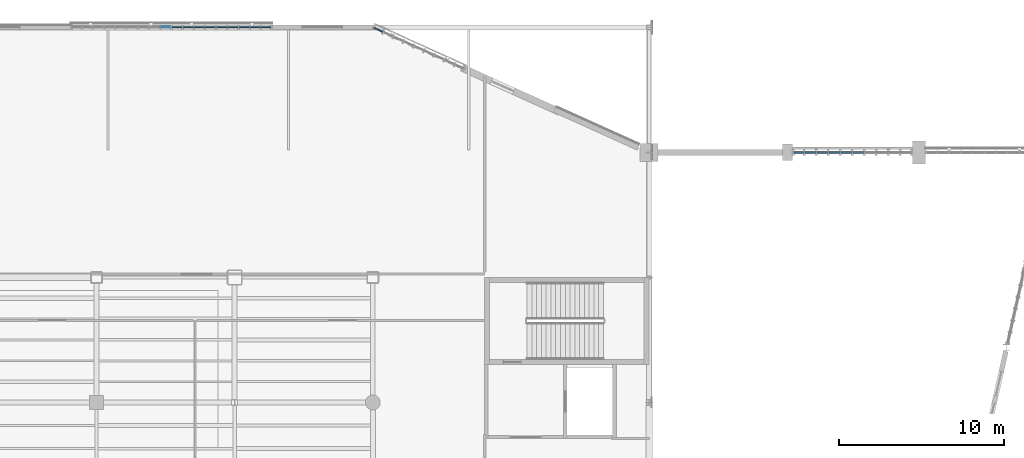
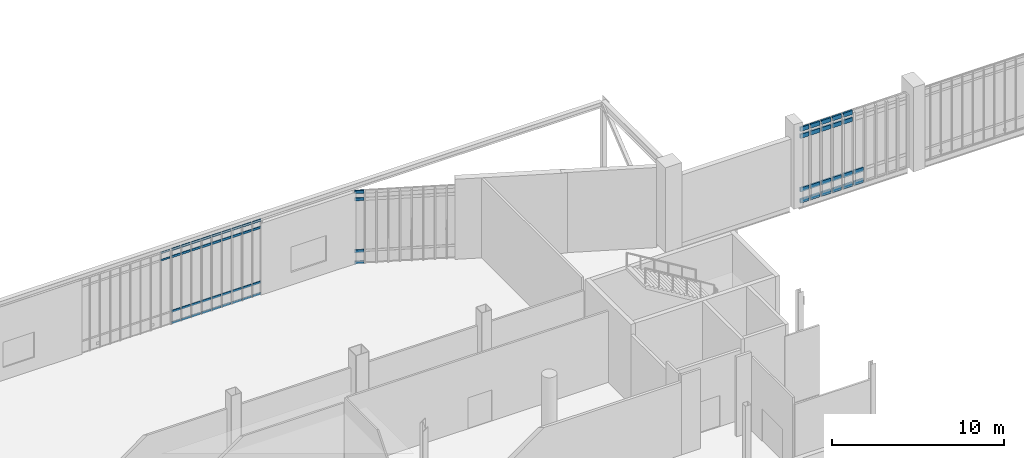
# One storey, part 56 of 135: 64 members, 4 elements without a shape of their own.
"""IFC4 building model written with IfcOpenShell, lengths in metres."""

from ifc_helpers import new_model, si_unit, direction, frame, origin, origin_2d, place, context, subcontext, project, spatial, rectangle, extrude, material, material_profile, profile_set, type_object, element, aggregate, save


model = new_model("IFC4")

# Units and contexts
model_context = context("Model", 3, precision=1e-05, world=origin(), true_north=direction((0.0, 1.0)))
body_context = subcontext(model_context, "Body", "Model", "MODEL_VIEW")
ifc_project = project(units=[si_unit("LENGTHUNIT", "METRE"), si_unit("AREAUNIT", "SQUARE_METRE"), si_unit("VOLUMEUNIT", "CUBIC_METRE"), si_unit("PLANEANGLEUNIT", "RADIAN"), si_unit("MASSUNIT", "GRAM", prefix="KILO")], contexts=[model_context])

# Site, building, storey
site_placement = place(None, origin())
site = spatial("IfcSite", under=ifc_project, at=site_placement, CompositionType="ELEMENT")
building_placement = place(site_placement, origin())
building = spatial("IfcBuilding", under=site, at=building_placement, Name="Larkvane Passage Sports Hall", CompositionType="ELEMENT")
storey_placement = place(building_placement, frame((0.0, 0.0, 10.800048828125)))
storey = spatial("IfcBuildingStorey", under=building, at=storey_placement, Name="L02", CompositionType="ELEMENT", Elevation=10.800048828125)

# Curtain wall, members
ifc_material_1 = material(Name="Thermally broken aluminium and low-E glazing", Category="aluminium")
curtain_wall_type_1 = type_object("IfcCurtainWallType", Name="CW-CLINIC", PredefinedType="USERDEFINED", material=ifc_material_1)
curtain_wall_1_placement = place(storey_placement, origin())
curtain_wall_1 = element("IfcCurtainWall", 1, at=curtain_wall_1_placement, inside=storey, type_object=curtain_wall_type_1, Name="Curtain wall CW5-L02-079", ObjectType="UNITISED CURTAIN WALL", PredefinedType="USERDEFINED")
ifc_material_2 = material(Name="Anodised aluminium 6063-T6", Category="aluminium")
ifc_material_profile_1 = material_profile(ifc_material_2, rectangle(XDim=0.110107421875, YDim=0.2900390625, at=origin_2d()), Name="ALU-TRN-110x290")
ifc_profile_set_1 = profile_set([ifc_material_profile_1], Name="Anodised aluminium 6063-T6")
member_type_1 = type_object("IfcMemberType", Name="CW-TRN-110x290", PredefinedType="USERDEFINED", material=ifc_profile_set_1)
member_1_placement = place(storey_placement, frame((102.406005859375, 99.199951171875, 0.054931640625), z_axis=(1.0, 0.0, 0.0), x_axis=(0.0, 1.0, 0.0)))
member_1 = element("IfcMember", 2, at=member_1_placement, type_object=member_type_1, Name="CW-05 transom 1.1", ObjectType="TRANSOM", PredefinedType="USERDEFINED", context=body_context, shape_type="SweptSolid", body=[
    extrude(rectangle(XDim=0.110107421875, YDim=0.2900390625, at=origin_2d()), origin(), (0.0, 0.0, 1.0), 0.565673828125),
])
member_2_placement = place(storey_placement, frame((102.406005859375, 99.199951171875, 0.849853515625), z_axis=(1.0, 0.0, 0.0), x_axis=(0.0, 1.0, 0.0)))
member_2 = element("IfcMember", 3, at=member_2_placement, type_object=member_type_1, Name="CW-05 transom 1.2", ObjectType="TRANSOM", PredefinedType="USERDEFINED", context=body_context, shape_type="SweptSolid", body=[
    extrude(rectangle(XDim=0.110107421875, YDim=0.2900390625, at=origin_2d()), origin(), (0.0, 0.0, 1.0), 0.565673828125),
])
member_3_placement = place(storey_placement, frame((102.406005859375, 99.199951171875, 4.64794921875), z_axis=(1.0, 0.0, 0.0), x_axis=(0.0, 1.0, 0.0)))
member_3 = element("IfcMember", 4, at=member_3_placement, type_object=member_type_1, Name="CW-05 transom 1.3", ObjectType="TRANSOM", PredefinedType="USERDEFINED", context=body_context, shape_type="SweptSolid", body=[
    extrude(rectangle(XDim=0.110107421875, YDim=0.2900390625, at=origin_2d()), origin(), (0.0, 0.0, 1.0), 0.565673828125),
])
member_4_placement = place(storey_placement, frame((102.406005859375, 99.199951171875, 5.14306640625), z_axis=(1.0, 0.0, 0.0), x_axis=(0.0, 1.0, 0.0)))
member_4 = element("IfcMember", 5, at=member_4_placement, type_object=member_type_1, Name="CW-05 transom 1.4", ObjectType="TRANSOM", PredefinedType="USERDEFINED", context=body_context, shape_type="SweptSolid", body=[
    extrude(rectangle(XDim=0.110107421875, YDim=0.2900390625, at=origin_2d()), origin(), (0.0, 0.0, 1.0), 0.565673828125),
])
member_5_placement = place(storey_placement, frame((103.081787109375, 99.199951171875, 0.054931640625), z_axis=(1.0, 0.0, 0.0), x_axis=(0.0, 1.0, 0.0)))
member_5 = element("IfcMember", 6, at=member_5_placement, type_object=member_type_1, Name="CW-05 transom 2.1", ObjectType="TRANSOM", PredefinedType="USERDEFINED", context=body_context, shape_type="SweptSolid", body=[
    extrude(rectangle(XDim=0.110107421875, YDim=0.2900390625, at=origin_2d()), origin(), (0.0, 0.0, 1.0), 0.620849609375),
])
member_6_placement = place(storey_placement, frame((103.081787109375, 99.199951171875, 0.849853515625), z_axis=(1.0, 0.0, 0.0), x_axis=(0.0, 1.0, 0.0)))
member_6 = element("IfcMember", 7, at=member_6_placement, type_object=member_type_1, Name="CW-05 transom 2.2", ObjectType="TRANSOM", PredefinedType="USERDEFINED", context=body_context, shape_type="SweptSolid", body=[
    extrude(rectangle(XDim=0.110107421875, YDim=0.2900390625, at=origin_2d()), origin(), (0.0, 0.0, 1.0), 0.620849609375),
])
member_7_placement = place(storey_placement, frame((103.081787109375, 99.199951171875, 4.64794921875), z_axis=(1.0, 0.0, 0.0), x_axis=(0.0, 1.0, 0.0)))
member_7 = element("IfcMember", 8, at=member_7_placement, type_object=member_type_1, Name="CW-05 transom 2.3", ObjectType="TRANSOM", PredefinedType="USERDEFINED", context=body_context, shape_type="SweptSolid", body=[
    extrude(rectangle(XDim=0.110107421875, YDim=0.2900390625, at=origin_2d()), origin(), (0.0, 0.0, 1.0), 0.620849609375),
])
member_8_placement = place(storey_placement, frame((103.081787109375, 99.199951171875, 5.14306640625), z_axis=(1.0, 0.0, 0.0), x_axis=(0.0, 1.0, 0.0)))
member_8 = element("IfcMember", 9, at=member_8_placement, type_object=member_type_1, Name="CW-05 transom 2.4", ObjectType="TRANSOM", PredefinedType="USERDEFINED", context=body_context, shape_type="SweptSolid", body=[
    extrude(rectangle(XDim=0.110107421875, YDim=0.2900390625, at=origin_2d()), origin(), (0.0, 0.0, 1.0), 0.620849609375),
])
member_9_placement = place(storey_placement, frame((103.8125, 99.199951171875, 0.054931640625), z_axis=(1.0, 0.0, 0.0), x_axis=(0.0, 1.0, 0.0)))
member_9 = element("IfcMember", 10, at=member_9_placement, type_object=member_type_1, Name="CW-05 transom 3.1", ObjectType="TRANSOM", PredefinedType="USERDEFINED", context=body_context, shape_type="SweptSolid", body=[
    extrude(rectangle(XDim=0.110107421875, YDim=0.2900390625, at=origin_2d()), origin(), (0.0, 0.0, 1.0), 0.620849609375),
])
member_10_placement = place(storey_placement, frame((103.8125, 99.199951171875, 0.849853515625), z_axis=(1.0, 0.0, 0.0), x_axis=(0.0, 1.0, 0.0)))
member_10 = element("IfcMember", 11, at=member_10_placement, type_object=member_type_1, Name="CW-05 transom 3.2", ObjectType="TRANSOM", PredefinedType="USERDEFINED", context=body_context, shape_type="SweptSolid", body=[
    extrude(rectangle(XDim=0.110107421875, YDim=0.2900390625, at=origin_2d()), origin(), (0.0, 0.0, 1.0), 0.620849609375),
])
member_11_placement = place(storey_placement, frame((103.8125, 99.199951171875, 4.64794921875), z_axis=(1.0, 0.0, 0.0), x_axis=(0.0, 1.0, 0.0)))
member_11 = element("IfcMember", 12, at=member_11_placement, type_object=member_type_1, Name="CW-05 transom 3.3", ObjectType="TRANSOM", PredefinedType="USERDEFINED", context=body_context, shape_type="SweptSolid", body=[
    extrude(rectangle(XDim=0.110107421875, YDim=0.2900390625, at=origin_2d()), origin(), (0.0, 0.0, 1.0), 0.620849609375),
])
member_12_placement = place(storey_placement, frame((103.8125, 99.199951171875, 5.14306640625), z_axis=(1.0, 0.0, 0.0), x_axis=(0.0, 1.0, 0.0)))
member_12 = element("IfcMember", 13, at=member_12_placement, type_object=member_type_1, Name="CW-05 transom 3.4", ObjectType="TRANSOM", PredefinedType="USERDEFINED", context=body_context, shape_type="SweptSolid", body=[
    extrude(rectangle(XDim=0.110107421875, YDim=0.2900390625, at=origin_2d()), origin(), (0.0, 0.0, 1.0), 0.620849609375),
])
member_13_placement = place(storey_placement, frame((104.54345703125, 99.199951171875, 0.054931640625), z_axis=(1.0, 0.0, 0.0), x_axis=(0.0, 1.0, 0.0)))
member_13 = element("IfcMember", 14, at=member_13_placement, type_object=member_type_1, Name="CW-05 transom 4.1", ObjectType="TRANSOM", PredefinedType="USERDEFINED", context=body_context, shape_type="SweptSolid", body=[
    extrude(rectangle(XDim=0.110107421875, YDim=0.2900390625, at=origin_2d()), origin(), (0.0, 0.0, 1.0), 0.620849609375),
])
member_14_placement = place(storey_placement, frame((104.54345703125, 99.199951171875, 0.849853515625), z_axis=(1.0, 0.0, 0.0), x_axis=(0.0, 1.0, 0.0)))
member_14 = element("IfcMember", 15, at=member_14_placement, type_object=member_type_1, Name="CW-05 transom 4.2", ObjectType="TRANSOM", PredefinedType="USERDEFINED", context=body_context, shape_type="SweptSolid", body=[
    extrude(rectangle(XDim=0.110107421875, YDim=0.2900390625, at=origin_2d()), origin(), (0.0, 0.0, 1.0), 0.620849609375),
])
member_15_placement = place(storey_placement, frame((104.54345703125, 99.199951171875, 4.64794921875), z_axis=(1.0, 0.0, 0.0), x_axis=(0.0, 1.0, 0.0)))
member_15 = element("IfcMember", 16, at=member_15_placement, type_object=member_type_1, Name="CW-05 transom 4.3", ObjectType="TRANSOM", PredefinedType="USERDEFINED", context=body_context, shape_type="SweptSolid", body=[
    extrude(rectangle(XDim=0.110107421875, YDim=0.2900390625, at=origin_2d()), origin(), (0.0, 0.0, 1.0), 0.620849609375),
])
member_16_placement = place(storey_placement, frame((104.54345703125, 99.199951171875, 5.14306640625), z_axis=(1.0, 0.0, 0.0), x_axis=(0.0, 1.0, 0.0)))
member_16 = element("IfcMember", 17, at=member_16_placement, type_object=member_type_1, Name="CW-05 transom 4.4", ObjectType="TRANSOM", PredefinedType="USERDEFINED", context=body_context, shape_type="SweptSolid", body=[
    extrude(rectangle(XDim=0.110107421875, YDim=0.2900390625, at=origin_2d()), origin(), (0.0, 0.0, 1.0), 0.620849609375),
])
member_17_placement = place(storey_placement, frame((105.274169921875, 99.199951171875, 0.054931640625), z_axis=(1.0, 0.0, 0.0), x_axis=(0.0, 1.0, 0.0)))
member_17 = element("IfcMember", 18, at=member_17_placement, type_object=member_type_1, Name="CW-05 transom 5.1", ObjectType="TRANSOM", PredefinedType="USERDEFINED", context=body_context, shape_type="SweptSolid", body=[
    extrude(rectangle(XDim=0.110107421875, YDim=0.2900390625, at=origin_2d()), origin(), (0.0, 0.0, 1.0), 0.620849609375),
])
member_18_placement = place(storey_placement, frame((105.274169921875, 99.199951171875, 0.849853515625), z_axis=(1.0, 0.0, 0.0), x_axis=(0.0, 1.0, 0.0)))
member_18 = element("IfcMember", 19, at=member_18_placement, type_object=member_type_1, Name="CW-05 transom 5.2", ObjectType="TRANSOM", PredefinedType="USERDEFINED", context=body_context, shape_type="SweptSolid", body=[
    extrude(rectangle(XDim=0.110107421875, YDim=0.2900390625, at=origin_2d()), origin(), (0.0, 0.0, 1.0), 0.620849609375),
])
member_19_placement = place(storey_placement, frame((105.274169921875, 99.199951171875, 4.64794921875), z_axis=(1.0, 0.0, 0.0), x_axis=(0.0, 1.0, 0.0)))
member_19 = element("IfcMember", 20, at=member_19_placement, type_object=member_type_1, Name="CW-05 transom 5.3", ObjectType="TRANSOM", PredefinedType="USERDEFINED", context=body_context, shape_type="SweptSolid", body=[
    extrude(rectangle(XDim=0.110107421875, YDim=0.2900390625, at=origin_2d()), origin(), (0.0, 0.0, 1.0), 0.620849609375),
])
member_20_placement = place(storey_placement, frame((105.274169921875, 99.199951171875, 5.14306640625), z_axis=(1.0, 0.0, 0.0), x_axis=(0.0, 1.0, 0.0)))
member_20 = element("IfcMember", 21, at=member_20_placement, type_object=member_type_1, Name="CW-05 transom 5.4", ObjectType="TRANSOM", PredefinedType="USERDEFINED", context=body_context, shape_type="SweptSolid", body=[
    extrude(rectangle(XDim=0.110107421875, YDim=0.2900390625, at=origin_2d()), origin(), (0.0, 0.0, 1.0), 0.620849609375),
])
member_21_placement = place(storey_placement, frame((106.0048828125, 99.199951171875, 0.054931640625), z_axis=(1.0, 0.0, 0.0), x_axis=(0.0, 1.0, 0.0)))
member_21 = element("IfcMember", 22, at=member_21_placement, type_object=member_type_1, Name="CW-05 transom 6.1", ObjectType="TRANSOM", PredefinedType="USERDEFINED", context=body_context, shape_type="SweptSolid", body=[
    extrude(rectangle(XDim=0.110107421875, YDim=0.2900390625, at=origin_2d()), origin(), (0.0, 0.0, 1.0), 0.620849609375),
])
member_22_placement = place(storey_placement, frame((106.0048828125, 99.199951171875, 0.849853515625), z_axis=(1.0, 0.0, 0.0), x_axis=(0.0, 1.0, 0.0)))
member_22 = element("IfcMember", 23, at=member_22_placement, type_object=member_type_1, Name="CW-05 transom 6.2", ObjectType="TRANSOM", PredefinedType="USERDEFINED", context=body_context, shape_type="SweptSolid", body=[
    extrude(rectangle(XDim=0.110107421875, YDim=0.2900390625, at=origin_2d()), origin(), (0.0, 0.0, 1.0), 0.620849609375),
])
aggregate(curtain_wall_1, [member_1, member_2, member_3, member_4, member_5, member_6, member_7, member_8, member_9, member_10, member_11, member_12, member_13, member_14, member_15, member_16, member_17, member_18, member_19, member_20, member_21, member_22])

curtain_wall_type_2 = type_object("IfcCurtainWallType", Name="CW-UNIT-COURT", PredefinedType="USERDEFINED", material=ifc_material_1)
curtain_wall_2_placement = place(storey_placement, origin())
curtain_wall_2 = element("IfcCurtainWall", 24, at=curtain_wall_2_placement, inside=storey, type_object=curtain_wall_type_2, Name="Curtain wall CW5-L02-100", ObjectType="UNITISED CURTAIN WALL", PredefinedType="USERDEFINED")
ifc_material_profile_2 = material_profile(ifc_material_2, rectangle(XDim=0.06005859375, YDim=0.1201171875, at=origin_2d()), Name="ALU-TRN-60x120")
ifc_profile_set_2 = profile_set([ifc_material_profile_2], Name="Anodised aluminium 6063-T6")
member_type_2 = type_object("IfcMemberType", Name="CW-TRN-60x120", PredefinedType="USERDEFINED", material=ifc_profile_set_2)
member_23_placement = place(storey_placement, frame((63.8994140625, 106.800048828125, 4.72802734375), z_axis=(1.0, 0.0, 0.0), x_axis=(0.0, 1.0, 0.0)))
member_23 = element("IfcMember", 25, at=member_23_placement, type_object=member_type_2, Name="CW-01 transom 9.3", ObjectType="TRANSOM", PredefinedType="USERDEFINED", context=body_context, shape_type="SweptSolid", body=[
    extrude(rectangle(XDim=0.06005859375, YDim=0.1201171875, at=origin_2d()), origin(), (0.0, 0.0, 1.0), 0.590576171875),
])
member_24_placement = place(storey_placement, frame((63.8994140625, 106.800048828125, 5.248046875), z_axis=(1.0, 0.0, 0.0), x_axis=(0.0, 1.0, 0.0)))
member_24 = element("IfcMember", 26, at=member_24_placement, type_object=member_type_2, Name="CW-01 transom 9.4", ObjectType="TRANSOM", PredefinedType="USERDEFINED", context=body_context, shape_type="SweptSolid", body=[
    extrude(rectangle(XDim=0.06005859375, YDim=0.1201171875, at=origin_2d()), origin(), (0.0, 0.0, 1.0), 0.590576171875),
])
aggregate(curtain_wall_2, [member_23, member_24])

curtain_wall_type_3 = type_object("IfcCurtainWallType", Name="CW-UNIT-VEIL", PredefinedType="USERDEFINED", material=ifc_material_1)
curtain_wall_3_placement = place(storey_placement, origin())
curtain_wall_3 = element("IfcCurtainWall", 27, at=curtain_wall_3_placement, inside=storey, type_object=curtain_wall_type_3, Name="Curtain wall CW5-L02-101", ObjectType="UNITISED CURTAIN WALL", PredefinedType="USERDEFINED")
ifc_material_profile_3 = material_profile(ifc_material_2, rectangle(XDim=0.070068359375, YDim=0.159912109375, at=origin_2d()), Name="ALU-TRN-70x160")
ifc_profile_set_3 = profile_set([ifc_material_profile_3], Name="Anodised aluminium 6063-T6")
member_type_3 = type_object("IfcMemberType", Name="CW-TRN-70x160", PredefinedType="USERDEFINED", material=ifc_profile_set_3)
member_25_placement = place(storey_placement, frame((64.6201171875, 106.800048828125, 0.034912109375), z_axis=(1.0, 0.0, 0.0), x_axis=(0.0, 1.0, 0.0)))
member_25 = element("IfcMember", 28, at=member_25_placement, type_object=member_type_3, Name="CW-02 transom 1.1", ObjectType="TRANSOM", PredefinedType="USERDEFINED", context=body_context, shape_type="SweptSolid", body=[
    extrude(rectangle(XDim=0.070068359375, YDim=0.159912109375, at=origin_2d()), origin(), (0.0, 0.0, 1.0), 0.575439453125),
])
member_26_placement = place(storey_placement, frame((64.6201171875, 106.800048828125, 0.849853515625), z_axis=(1.0, 0.0, 0.0), x_axis=(0.0, 1.0, 0.0)))
member_26 = element("IfcMember", 29, at=member_26_placement, type_object=member_type_3, Name="CW-02 transom 1.2", ObjectType="TRANSOM", PredefinedType="USERDEFINED", context=body_context, shape_type="SweptSolid", body=[
    extrude(rectangle(XDim=0.070068359375, YDim=0.159912109375, at=origin_2d()), origin(), (0.0, 0.0, 1.0), 0.575439453125),
])
member_27_placement = place(storey_placement, frame((64.6201171875, 106.800048828125, 4.72802734375), z_axis=(1.0, 0.0, 0.0), x_axis=(0.0, 1.0, 0.0)))
member_27 = element("IfcMember", 30, at=member_27_placement, type_object=member_type_3, Name="CW-02 transom 1.3", ObjectType="TRANSOM", PredefinedType="USERDEFINED", context=body_context, shape_type="SweptSolid", body=[
    extrude(rectangle(XDim=0.070068359375, YDim=0.159912109375, at=origin_2d()), origin(), (0.0, 0.0, 1.0), 0.575439453125),
])
member_28_placement = place(storey_placement, frame((64.6201171875, 106.800048828125, 5.242919921875), z_axis=(1.0, 0.0, 0.0), x_axis=(0.0, 1.0, 0.0)))
member_28 = element("IfcMember", 31, at=member_28_placement, type_object=member_type_3, Name="CW-02 transom 1.4", ObjectType="TRANSOM", PredefinedType="USERDEFINED", context=body_context, shape_type="SweptSolid", body=[
    extrude(rectangle(XDim=0.070068359375, YDim=0.159912109375, at=origin_2d()), origin(), (0.0, 0.0, 1.0), 0.575439453125),
])
member_29_placement = place(storey_placement, frame((65.265625, 106.800048828125, 0.034912109375), z_axis=(1.0, 0.0, 0.0), x_axis=(0.0, 1.0, 0.0)))
member_29 = element("IfcMember", 32, at=member_29_placement, type_object=member_type_3, Name="CW-02 transom 2.1", ObjectType="TRANSOM", PredefinedType="USERDEFINED", context=body_context, shape_type="SweptSolid", body=[
    extrude(rectangle(XDim=0.070068359375, YDim=0.159912109375, at=origin_2d()), origin(), (0.0, 0.0, 1.0), 0.610595703125),
])
member_30_placement = place(storey_placement, frame((65.265625, 106.800048828125, 0.849853515625), z_axis=(1.0, 0.0, 0.0), x_axis=(0.0, 1.0, 0.0)))
member_30 = element("IfcMember", 33, at=member_30_placement, type_object=member_type_3, Name="CW-02 transom 2.2", ObjectType="TRANSOM", PredefinedType="USERDEFINED", context=body_context, shape_type="SweptSolid", body=[
    extrude(rectangle(XDim=0.070068359375, YDim=0.159912109375, at=origin_2d()), origin(), (0.0, 0.0, 1.0), 0.610595703125),
])
member_31_placement = place(storey_placement, frame((65.265625, 106.800048828125, 4.72802734375), z_axis=(1.0, 0.0, 0.0), x_axis=(0.0, 1.0, 0.0)))
member_31 = element("IfcMember", 34, at=member_31_placement, type_object=member_type_3, Name="CW-02 transom 2.3", ObjectType="TRANSOM", PredefinedType="USERDEFINED", context=body_context, shape_type="SweptSolid", body=[
    extrude(rectangle(XDim=0.070068359375, YDim=0.159912109375, at=origin_2d()), origin(), (0.0, 0.0, 1.0), 0.610595703125),
])
member_32_placement = place(storey_placement, frame((65.265625, 106.800048828125, 5.242919921875), z_axis=(1.0, 0.0, 0.0), x_axis=(0.0, 1.0, 0.0)))
member_32 = element("IfcMember", 35, at=member_32_placement, type_object=member_type_3, Name="CW-02 transom 2.4", ObjectType="TRANSOM", PredefinedType="USERDEFINED", context=body_context, shape_type="SweptSolid", body=[
    extrude(rectangle(XDim=0.070068359375, YDim=0.159912109375, at=origin_2d()), origin(), (0.0, 0.0, 1.0), 0.610595703125),
])
member_33_placement = place(storey_placement, frame((65.946044921875, 106.800048828125, 0.034912109375), z_axis=(1.0, 0.0, 0.0), x_axis=(0.0, 1.0, 0.0)))
member_33 = element("IfcMember", 36, at=member_33_placement, type_object=member_type_3, Name="CW-02 transom 3.1", ObjectType="TRANSOM", PredefinedType="USERDEFINED", context=body_context, shape_type="SweptSolid", body=[
    extrude(rectangle(XDim=0.070068359375, YDim=0.159912109375, at=origin_2d()), origin(), (0.0, 0.0, 1.0), 0.610595703125),
])
member_34_placement = place(storey_placement, frame((65.946044921875, 106.800048828125, 0.849853515625), z_axis=(1.0, 0.0, 0.0), x_axis=(0.0, 1.0, 0.0)))
member_34 = element("IfcMember", 37, at=member_34_placement, type_object=member_type_3, Name="CW-02 transom 3.2", ObjectType="TRANSOM", PredefinedType="USERDEFINED", context=body_context, shape_type="SweptSolid", body=[
    extrude(rectangle(XDim=0.070068359375, YDim=0.159912109375, at=origin_2d()), origin(), (0.0, 0.0, 1.0), 0.610595703125),
])
member_35_placement = place(storey_placement, frame((65.946044921875, 106.800048828125, 4.72802734375), z_axis=(1.0, 0.0, 0.0), x_axis=(0.0, 1.0, 0.0)))
member_35 = element("IfcMember", 38, at=member_35_placement, type_object=member_type_3, Name="CW-02 transom 3.3", ObjectType="TRANSOM", PredefinedType="USERDEFINED", context=body_context, shape_type="SweptSolid", body=[
    extrude(rectangle(XDim=0.070068359375, YDim=0.159912109375, at=origin_2d()), origin(), (0.0, 0.0, 1.0), 0.610595703125),
])
member_36_placement = place(storey_placement, frame((65.946044921875, 106.800048828125, 5.242919921875), z_axis=(1.0, 0.0, 0.0), x_axis=(0.0, 1.0, 0.0)))
member_36 = element("IfcMember", 39, at=member_36_placement, type_object=member_type_3, Name="CW-02 transom 3.4", ObjectType="TRANSOM", PredefinedType="USERDEFINED", context=body_context, shape_type="SweptSolid", body=[
    extrude(rectangle(XDim=0.070068359375, YDim=0.159912109375, at=origin_2d()), origin(), (0.0, 0.0, 1.0), 0.610595703125),
])
member_37_placement = place(storey_placement, frame((66.626708984375, 106.800048828125, 0.034912109375), z_axis=(1.0, 0.0, 0.0), x_axis=(0.0, 1.0, 0.0)))
member_37 = element("IfcMember", 40, at=member_37_placement, type_object=member_type_3, Name="CW-02 transom 4.1", ObjectType="TRANSOM", PredefinedType="USERDEFINED", context=body_context, shape_type="SweptSolid", body=[
    extrude(rectangle(XDim=0.070068359375, YDim=0.159912109375, at=origin_2d()), origin(), (0.0, 0.0, 1.0), 0.610595703125),
])
member_38_placement = place(storey_placement, frame((66.626708984375, 106.800048828125, 0.849853515625), z_axis=(1.0, 0.0, 0.0), x_axis=(0.0, 1.0, 0.0)))
member_38 = element("IfcMember", 41, at=member_38_placement, type_object=member_type_3, Name="CW-02 transom 4.2", ObjectType="TRANSOM", PredefinedType="USERDEFINED", context=body_context, shape_type="SweptSolid", body=[
    extrude(rectangle(XDim=0.070068359375, YDim=0.159912109375, at=origin_2d()), origin(), (0.0, 0.0, 1.0), 0.610595703125),
])
member_39_placement = place(storey_placement, frame((66.626708984375, 106.800048828125, 4.72802734375), z_axis=(1.0, 0.0, 0.0), x_axis=(0.0, 1.0, 0.0)))
member_39 = element("IfcMember", 42, at=member_39_placement, type_object=member_type_3, Name="CW-02 transom 4.3", ObjectType="TRANSOM", PredefinedType="USERDEFINED", context=body_context, shape_type="SweptSolid", body=[
    extrude(rectangle(XDim=0.070068359375, YDim=0.159912109375, at=origin_2d()), origin(), (0.0, 0.0, 1.0), 0.610595703125),
])
member_40_placement = place(storey_placement, frame((66.626708984375, 106.800048828125, 5.242919921875), z_axis=(1.0, 0.0, 0.0), x_axis=(0.0, 1.0, 0.0)))
member_40 = element("IfcMember", 43, at=member_40_placement, type_object=member_type_3, Name="CW-02 transom 4.4", ObjectType="TRANSOM", PredefinedType="USERDEFINED", context=body_context, shape_type="SweptSolid", body=[
    extrude(rectangle(XDim=0.070068359375, YDim=0.159912109375, at=origin_2d()), origin(), (0.0, 0.0, 1.0), 0.610595703125),
])
member_41_placement = place(storey_placement, frame((67.30712890625, 106.800048828125, 0.034912109375), z_axis=(1.0, 0.0, 0.0), x_axis=(0.0, 1.0, 0.0)))
member_41 = element("IfcMember", 44, at=member_41_placement, type_object=member_type_3, Name="CW-02 transom 5.1", ObjectType="TRANSOM", PredefinedType="USERDEFINED", context=body_context, shape_type="SweptSolid", body=[
    extrude(rectangle(XDim=0.070068359375, YDim=0.159912109375, at=origin_2d()), origin(), (0.0, 0.0, 1.0), 0.610595703125),
])
member_42_placement = place(storey_placement, frame((67.30712890625, 106.800048828125, 0.849853515625), z_axis=(1.0, 0.0, 0.0), x_axis=(0.0, 1.0, 0.0)))
member_42 = element("IfcMember", 45, at=member_42_placement, type_object=member_type_3, Name="CW-02 transom 5.2", ObjectType="TRANSOM", PredefinedType="USERDEFINED", context=body_context, shape_type="SweptSolid", body=[
    extrude(rectangle(XDim=0.070068359375, YDim=0.159912109375, at=origin_2d()), origin(), (0.0, 0.0, 1.0), 0.610595703125),
])
member_43_placement = place(storey_placement, frame((67.30712890625, 106.800048828125, 4.72802734375), z_axis=(1.0, 0.0, 0.0), x_axis=(0.0, 1.0, 0.0)))
member_43 = element("IfcMember", 46, at=member_43_placement, type_object=member_type_3, Name="CW-02 transom 5.3", ObjectType="TRANSOM", PredefinedType="USERDEFINED", context=body_context, shape_type="SweptSolid", body=[
    extrude(rectangle(XDim=0.070068359375, YDim=0.159912109375, at=origin_2d()), origin(), (0.0, 0.0, 1.0), 0.610595703125),
])
member_44_placement = place(storey_placement, frame((67.30712890625, 106.800048828125, 5.242919921875), z_axis=(1.0, 0.0, 0.0), x_axis=(0.0, 1.0, 0.0)))
member_44 = element("IfcMember", 47, at=member_44_placement, type_object=member_type_3, Name="CW-02 transom 5.4", ObjectType="TRANSOM", PredefinedType="USERDEFINED", context=body_context, shape_type="SweptSolid", body=[
    extrude(rectangle(XDim=0.070068359375, YDim=0.159912109375, at=origin_2d()), origin(), (0.0, 0.0, 1.0), 0.610595703125),
])
member_45_placement = place(storey_placement, frame((67.98779296875, 106.800048828125, 0.034912109375), z_axis=(1.0, 0.0, 0.0), x_axis=(0.0, 1.0, 0.0)))
member_45 = element("IfcMember", 48, at=member_45_placement, type_object=member_type_3, Name="CW-02 transom 6.1", ObjectType="TRANSOM", PredefinedType="USERDEFINED", context=body_context, shape_type="SweptSolid", body=[
    extrude(rectangle(XDim=0.070068359375, YDim=0.159912109375, at=origin_2d()), origin(), (0.0, 0.0, 1.0), 0.610595703125),
])
member_46_placement = place(storey_placement, frame((67.98779296875, 106.800048828125, 0.849853515625), z_axis=(1.0, 0.0, 0.0), x_axis=(0.0, 1.0, 0.0)))
member_46 = element("IfcMember", 49, at=member_46_placement, type_object=member_type_3, Name="CW-02 transom 6.2", ObjectType="TRANSOM", PredefinedType="USERDEFINED", context=body_context, shape_type="SweptSolid", body=[
    extrude(rectangle(XDim=0.070068359375, YDim=0.159912109375, at=origin_2d()), origin(), (0.0, 0.0, 1.0), 0.610595703125),
])
member_47_placement = place(storey_placement, frame((67.98779296875, 106.800048828125, 4.72802734375), z_axis=(1.0, 0.0, 0.0), x_axis=(0.0, 1.0, 0.0)))
member_47 = element("IfcMember", 50, at=member_47_placement, type_object=member_type_3, Name="CW-02 transom 6.3", ObjectType="TRANSOM", PredefinedType="USERDEFINED", context=body_context, shape_type="SweptSolid", body=[
    extrude(rectangle(XDim=0.070068359375, YDim=0.159912109375, at=origin_2d()), origin(), (0.0, 0.0, 1.0), 0.610595703125),
])
member_48_placement = place(storey_placement, frame((67.98779296875, 106.800048828125, 5.242919921875), z_axis=(1.0, 0.0, 0.0), x_axis=(0.0, 1.0, 0.0)))
member_48 = element("IfcMember", 51, at=member_48_placement, type_object=member_type_3, Name="CW-02 transom 6.4", ObjectType="TRANSOM", PredefinedType="USERDEFINED", context=body_context, shape_type="SweptSolid", body=[
    extrude(rectangle(XDim=0.070068359375, YDim=0.159912109375, at=origin_2d()), origin(), (0.0, 0.0, 1.0), 0.610595703125),
])
member_49_placement = place(storey_placement, frame((68.668212890625, 106.800048828125, 0.034912109375), z_axis=(1.0, 0.0, 0.0), x_axis=(0.0, 1.0, 0.0)))
member_49 = element("IfcMember", 52, at=member_49_placement, type_object=member_type_3, Name="CW-02 transom 7.1", ObjectType="TRANSOM", PredefinedType="USERDEFINED", context=body_context, shape_type="SweptSolid", body=[
    extrude(rectangle(XDim=0.070068359375, YDim=0.159912109375, at=origin_2d()), origin(), (0.0, 0.0, 1.0), 0.610595703125),
])
member_50_placement = place(storey_placement, frame((68.668212890625, 106.800048828125, 0.849853515625), z_axis=(1.0, 0.0, 0.0), x_axis=(0.0, 1.0, 0.0)))
member_50 = element("IfcMember", 53, at=member_50_placement, type_object=member_type_3, Name="CW-02 transom 7.2", ObjectType="TRANSOM", PredefinedType="USERDEFINED", context=body_context, shape_type="SweptSolid", body=[
    extrude(rectangle(XDim=0.070068359375, YDim=0.159912109375, at=origin_2d()), origin(), (0.0, 0.0, 1.0), 0.610595703125),
])
member_51_placement = place(storey_placement, frame((68.668212890625, 106.800048828125, 4.72802734375), z_axis=(1.0, 0.0, 0.0), x_axis=(0.0, 1.0, 0.0)))
member_51 = element("IfcMember", 54, at=member_51_placement, type_object=member_type_3, Name="CW-02 transom 7.3", ObjectType="TRANSOM", PredefinedType="USERDEFINED", context=body_context, shape_type="SweptSolid", body=[
    extrude(rectangle(XDim=0.070068359375, YDim=0.159912109375, at=origin_2d()), origin(), (0.0, 0.0, 1.0), 0.610595703125),
])
member_52_placement = place(storey_placement, frame((68.668212890625, 106.800048828125, 5.242919921875), z_axis=(1.0, 0.0, 0.0), x_axis=(0.0, 1.0, 0.0)))
member_52 = element("IfcMember", 55, at=member_52_placement, type_object=member_type_3, Name="CW-02 transom 7.4", ObjectType="TRANSOM", PredefinedType="USERDEFINED", context=body_context, shape_type="SweptSolid", body=[
    extrude(rectangle(XDim=0.070068359375, YDim=0.159912109375, at=origin_2d()), origin(), (0.0, 0.0, 1.0), 0.610595703125),
])
member_53_placement = place(storey_placement, frame((69.348876953125, 106.800048828125, 0.034912109375), z_axis=(1.0, 0.0, 0.0), x_axis=(0.0, 1.0, 0.0)))
member_53 = element("IfcMember", 56, at=member_53_placement, type_object=member_type_3, Name="CW-02 transom 8.1", ObjectType="TRANSOM", PredefinedType="USERDEFINED", context=body_context, shape_type="SweptSolid", body=[
    extrude(rectangle(XDim=0.070068359375, YDim=0.159912109375, at=origin_2d()), origin(), (0.0, 0.0, 1.0), 0.610595703125),
])
member_54_placement = place(storey_placement, frame((69.348876953125, 106.800048828125, 0.849853515625), z_axis=(1.0, 0.0, 0.0), x_axis=(0.0, 1.0, 0.0)))
member_54 = element("IfcMember", 57, at=member_54_placement, type_object=member_type_3, Name="CW-02 transom 8.2", ObjectType="TRANSOM", PredefinedType="USERDEFINED", context=body_context, shape_type="SweptSolid", body=[
    extrude(rectangle(XDim=0.070068359375, YDim=0.159912109375, at=origin_2d()), origin(), (0.0, 0.0, 1.0), 0.610595703125),
])
member_55_placement = place(storey_placement, frame((69.348876953125, 106.800048828125, 4.72802734375), z_axis=(1.0, 0.0, 0.0), x_axis=(0.0, 1.0, 0.0)))
member_55 = element("IfcMember", 58, at=member_55_placement, type_object=member_type_3, Name="CW-02 transom 8.3", ObjectType="TRANSOM", PredefinedType="USERDEFINED", context=body_context, shape_type="SweptSolid", body=[
    extrude(rectangle(XDim=0.070068359375, YDim=0.159912109375, at=origin_2d()), origin(), (0.0, 0.0, 1.0), 0.610595703125),
])
member_56_placement = place(storey_placement, frame((69.348876953125, 106.800048828125, 5.242919921875), z_axis=(1.0, 0.0, 0.0), x_axis=(0.0, 1.0, 0.0)))
member_56 = element("IfcMember", 59, at=member_56_placement, type_object=member_type_3, Name="CW-02 transom 8.4", ObjectType="TRANSOM", PredefinedType="USERDEFINED", context=body_context, shape_type="SweptSolid", body=[
    extrude(rectangle(XDim=0.070068359375, YDim=0.159912109375, at=origin_2d()), origin(), (0.0, 0.0, 1.0), 0.610595703125),
])
member_57_placement = place(storey_placement, frame((70.029541015625, 106.800048828125, 0.034912109375), z_axis=(1.0, 0.0, 0.0), x_axis=(0.0, 1.0, 0.0)))
member_57 = element("IfcMember", 60, at=member_57_placement, type_object=member_type_3, Name="CW-02 transom 9.1", ObjectType="TRANSOM", PredefinedType="USERDEFINED", context=body_context, shape_type="SweptSolid", body=[
    extrude(rectangle(XDim=0.070068359375, YDim=0.159912109375, at=origin_2d()), origin(), (0.0, 0.0, 1.0), 0.575439453125),
])
member_58_placement = place(storey_placement, frame((70.029541015625, 106.800048828125, 0.849853515625), z_axis=(1.0, 0.0, 0.0), x_axis=(0.0, 1.0, 0.0)))
member_58 = element("IfcMember", 61, at=member_58_placement, type_object=member_type_3, Name="CW-02 transom 9.2", ObjectType="TRANSOM", PredefinedType="USERDEFINED", context=body_context, shape_type="SweptSolid", body=[
    extrude(rectangle(XDim=0.070068359375, YDim=0.159912109375, at=origin_2d()), origin(), (0.0, 0.0, 1.0), 0.575439453125),
])
member_59_placement = place(storey_placement, frame((70.029541015625, 106.800048828125, 4.72802734375), z_axis=(1.0, 0.0, 0.0), x_axis=(0.0, 1.0, 0.0)))
member_59 = element("IfcMember", 62, at=member_59_placement, type_object=member_type_3, Name="CW-02 transom 9.3", ObjectType="TRANSOM", PredefinedType="USERDEFINED", context=body_context, shape_type="SweptSolid", body=[
    extrude(rectangle(XDim=0.070068359375, YDim=0.159912109375, at=origin_2d()), origin(), (0.0, 0.0, 1.0), 0.575439453125),
])
member_60_placement = place(storey_placement, frame((70.029541015625, 106.800048828125, 5.242919921875), z_axis=(1.0, 0.0, 0.0), x_axis=(0.0, 1.0, 0.0)))
member_60 = element("IfcMember", 63, at=member_60_placement, type_object=member_type_3, Name="CW-02 transom 9.4", ObjectType="TRANSOM", PredefinedType="USERDEFINED", context=body_context, shape_type="SweptSolid", body=[
    extrude(rectangle(XDim=0.070068359375, YDim=0.159912109375, at=origin_2d()), origin(), (0.0, 0.0, 1.0), 0.575439453125),
])
aggregate(curtain_wall_3, [member_25, member_26, member_27, member_28, member_29, member_30, member_31, member_32, member_33, member_34, member_35, member_36, member_37, member_38, member_39, member_40, member_41, member_42, member_43, member_44, member_45, member_46, member_47, member_48, member_49, member_50, member_51, member_52, member_53, member_54, member_55, member_56, member_57, member_58, member_59, member_60])

curtain_wall_type_4 = type_object("IfcCurtainWallType", Name="CW-STICK-FOYER", PredefinedType="USERDEFINED", material=ifc_material_1)
curtain_wall_4_placement = place(storey_placement, origin())
curtain_wall_4 = element("IfcCurtainWall", 64, at=curtain_wall_4_placement, inside=storey, type_object=curtain_wall_type_4, Name="Curtain wall CW5-L02-078", ObjectType="STICK CURTAIN WALL", PredefinedType="USERDEFINED")
ifc_material_profile_4 = material_profile(ifc_material_2, rectangle(XDim=0.080078125, YDim=0.2099609375, at=origin_2d()), Name="ALU-TRN-80x210")
ifc_profile_set_4 = profile_set([ifc_material_profile_4], Name="Anodised aluminium 6063-T6")
member_type_4 = type_object("IfcMemberType", Name="CW-TRN-80x210", PredefinedType="USERDEFINED", material=ifc_profile_set_4)
member_61_placement = place(storey_placement, frame((76.872802734375, 106.76708984375, 0.0400390625), z_axis=(0.911018730491, -0.412364975106, 0.0), x_axis=(0.412364975106, 0.911018730491, 0.0)))
member_61 = element("IfcMember", 65, at=member_61_placement, type_object=member_type_4, Name="CW-03 transom 1.1", ObjectType="TRANSOM", PredefinedType="USERDEFINED", context=body_context, shape_type="SweptSolid", body=[
    extrude(rectangle(XDim=0.080078125, YDim=0.2099609375, at=origin_2d()), origin(), (0.0, 0.0, 1.0), 0.56298828125),
])
member_62_placement = place(storey_placement, frame((76.872802734375, 106.76708984375, 0.849853515625), z_axis=(0.911018730491, -0.412364975106, 0.0), x_axis=(0.412364975106, 0.911018730491, 0.0)))
member_62 = element("IfcMember", 66, at=member_62_placement, type_object=member_type_4, Name="CW-03 transom 1.2", ObjectType="TRANSOM", PredefinedType="USERDEFINED", context=body_context, shape_type="SweptSolid", body=[
    extrude(rectangle(XDim=0.080078125, YDim=0.2099609375, at=origin_2d()), origin(), (0.0, 0.0, 1.0), 0.56298828125),
])
member_63_placement = place(storey_placement, frame((76.872802734375, 106.76708984375, 4.530029296875), z_axis=(0.911018730491, -0.412364975106, 0.0), x_axis=(0.412364975106, 0.911018730491, 0.0)))
member_63 = element("IfcMember", 67, at=member_63_placement, type_object=member_type_4, Name="CW-03 transom 1.3", ObjectType="TRANSOM", PredefinedType="USERDEFINED", context=body_context, shape_type="SweptSolid", body=[
    extrude(rectangle(XDim=0.080078125, YDim=0.2099609375, at=origin_2d()), origin(), (0.0, 0.0, 1.0), 0.56298828125),
])
member_64_placement = place(storey_placement, frame((76.872802734375, 106.76708984375, 5.0400390625), z_axis=(0.911018730491, -0.412364975106, 0.0), x_axis=(0.412364975106, 0.911018730491, 0.0)))
member_64 = element("IfcMember", 68, at=member_64_placement, type_object=member_type_4, Name="CW-03 transom 1.4", ObjectType="TRANSOM", PredefinedType="USERDEFINED", context=body_context, shape_type="SweptSolid", body=[
    extrude(rectangle(XDim=0.080078125, YDim=0.2099609375, at=origin_2d()), origin(), (0.0, 0.0, 1.0), 0.56298828125),
])
aggregate(curtain_wall_4, [member_61, member_62, member_63, member_64])

save(model, "model.ifc")
